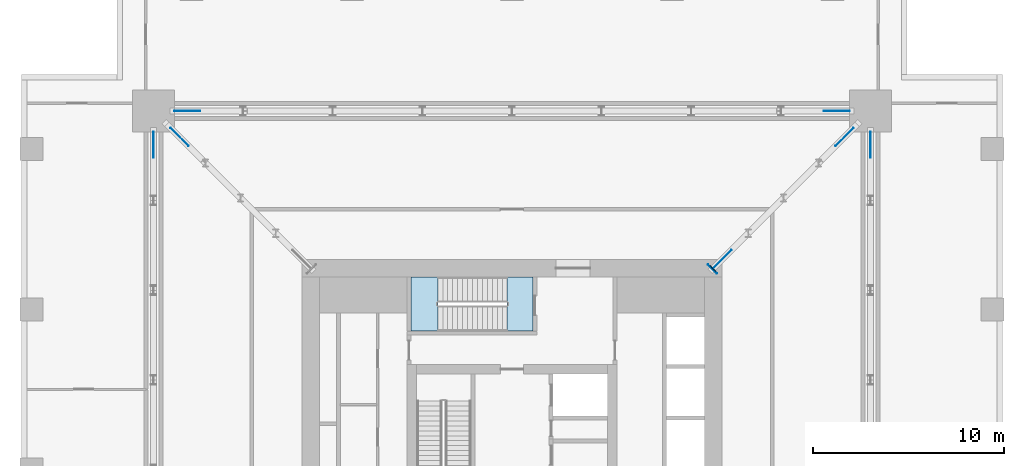
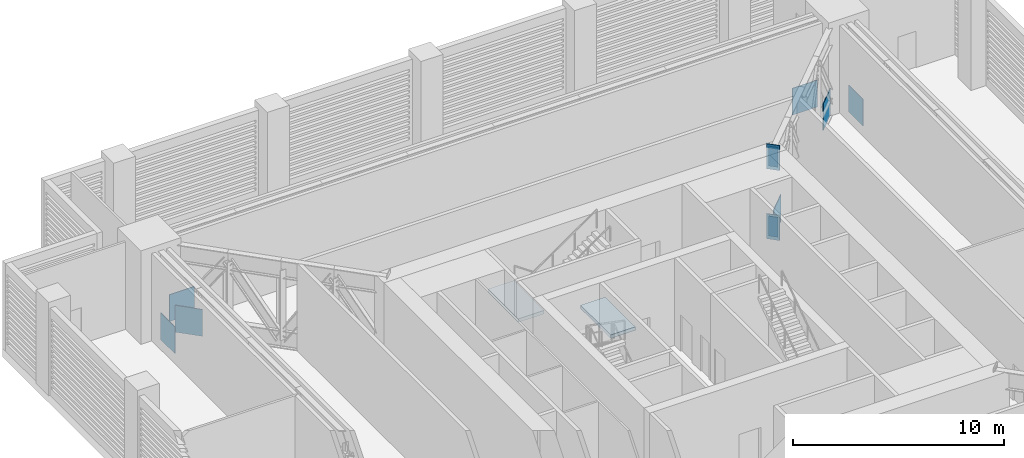
# One storey, part 8 of 16: 11 plates, 2 slabs, 1 element without a shape of its own.
"""IFC4 building model written with IfcOpenShell, lengths in metres."""

from ifc_helpers import new_model, si_unit, direction, frame, origin, origin_2d, place, context, subcontext, project, spatial, polyline, rectangle, outline, extrude, material, layer, layer_set, type_object, element, aggregate, save


model = new_model("IFC4")

# Units and contexts
model_context = context("Model", 3, precision=1e-05, world=origin(), true_north=direction((0.0, 1.0)))
body_context = subcontext(model_context, "Body", "Model", "MODEL_VIEW")
ifc_project = project(units=[si_unit("LENGTHUNIT", "METRE"), si_unit("AREAUNIT", "SQUARE_METRE"), si_unit("VOLUMEUNIT", "CUBIC_METRE"), si_unit("PLANEANGLEUNIT", "RADIAN"), si_unit("MASSUNIT", "GRAM", prefix="KILO")], contexts=[model_context])

# Site, building, storey
site_placement = place(None, origin())
site = spatial("IfcSite", under=ifc_project, at=site_placement, CompositionType="ELEMENT")
building_placement = place(site_placement, origin())
building = spatial("IfcBuilding", under=site, at=building_placement, Name="Khepri Terraces", CompositionType="ELEMENT")
storey_placement = place(building_placement, frame((0.0, 0.0, 287.39990234375)))
storey = spatial("IfcBuildingStorey", under=building, at=storey_placement, Name="L69", CompositionType="ELEMENT", Elevation=287.39990234375)

# Plates
ifc_material_1 = material(Name="Steel S355", Category="steel")
ifc_layer_1 = layer(ifc_material_1, 0.034912109375, Name="Steel S355", Category="steel")
ifc_layer_set_1 = layer_set([ifc_layer_1], Name="Steel S355")
plate_type_1 = type_object("IfcPlateType", Name="Cast-in plate 1450x650x35", PredefinedType="USERDEFINED", material=ifc_layer_set_1)
for number, where, z_axis, x_axis, name in (
    (1, (10.50927734375, 10.50927734375, -0.220703125), (0.0, 0.0, 1.0), (0.707106781187, 0.707106781187, 0.0), "CAST-IN PLATE OT-69-EN BOT wall A"),
    (2, (10.50927734375, 10.50927734375, 3.8212890625), (0.0, 0.0, 1.0), (0.707106781187, 0.707106781187, 0.0), "CAST-IN PLATE OT-69-EN TOP wall A"),
):
    element("IfcPlate", number, at=place(storey_placement, frame(where, z_axis=z_axis, x_axis=x_axis)), inside=storey, type_object=plate_type_1, Name=name, ObjectType="CAST-IN PLATE", PredefinedType="USERDEFINED", context=body_context, shape_type="SweptSolid", body=[
        extrude(rectangle(XDim=0.034912109375, YDim=0.64990234375, at=origin_2d()), origin(), (0.0, 0.0, 1.0), 1.449951171875),
    ])
ifc_layer_2 = layer(ifc_material_1, 0.0400390625, Name="Steel S355", Category="steel")
ifc_layer_set_2 = layer_set([ifc_layer_2], Name="Steel S355")
plate_type_2 = type_object("IfcPlateType", Name="End plate 1150x450x40", PredefinedType="USERDEFINED", material=ifc_layer_set_2)
for number, where, z_axis, x_axis, name in (
    (3, (10.535888671875, 10.535888671875, -0.07080078125), (0.0, 0.0, 1.0), (0.707106781187, 0.707106781187, 0.0), "END PLATE OT-69-EN BOT end A"),
    (4, (10.535888671875, 10.535888671875, 3.97119140625), (0.0, 0.0, 1.0), (0.707106781187, 0.707106781187, 0.0), "END PLATE OT-69-EN TOP end A"),
):
    element("IfcPlate", number, at=place(storey_placement, frame(where, z_axis=z_axis, x_axis=x_axis)), inside=storey, type_object=plate_type_2, Name=name, ObjectType="END PLATE", PredefinedType="USERDEFINED", context=body_context, shape_type="SweptSolid", body=[
        extrude(rectangle(XDim=0.0400390625, YDim=0.449951171875, at=origin_2d()), origin(), (0.0, 0.0, 1.0), 1.14990234375),
    ])
ifc_layer_3 = layer(ifc_material_1, 0.034912109375, Name="Steel S355", Category="steel")
ifc_layer_set_3 = layer_set([ifc_layer_3], Name="Steel S355")
plate_type_3 = type_object("IfcPlateType", Name="Gusset plate 1350x1550x35", PredefinedType="USERDEFINED", material=ifc_layer_set_3)
for number, where, z_axis, x_axis, name in (
    (5, (11.02734375, 11.02734375, -0.10009765625), (0.0, 0.0, 1.0), (0.707106781187, 0.707106781187, 0.0), "GUSSET PLATE OT-69-EN node A"),
    (6, (17.434814453125, 17.434814453125, -0.10009765625), (0.0, 0.0, 1.0), (0.707106781187, 0.707106781187, 0.0), "GUSSET PLATE OT-69-EN column node B"),
    (7, (-17.434814453125, 17.434814453125, -0.10009765625), (0.0, 0.0, 1.0), (-0.707106781187, 0.707106781187, 0.0), "GUSSET PLATE OT-69-WN column node B"),
    (8, (18.800048828125, 17.02490234375, -0.10009765625), (0.0, 0.0, 1.0), (0.0, 1.0, 0.0), "GUSSET PLATE BT-69-E column node B"),
    (9, (17.02490234375, 18.800048828125, -0.10009765625), (0.0, 0.0, 1.0), (-1.0, 0.0, 0.0), "GUSSET PLATE BT-69-N column node A"),
    (10, (-17.02490234375, 18.800048828125, -0.10009765625), (0.0, 0.0, 1.0), (-1.0, 0.0, 0.0), "GUSSET PLATE BT-69-N column node B"),
    (11, (-18.800048828125, 17.02490234375, -0.10009765625), (0.0, 0.0, 1.0), (0.0, -1.0, 0.0), "GUSSET PLATE BT-69-W column node A"),
):
    element("IfcPlate", number, at=place(storey_placement, frame(where, z_axis=z_axis, x_axis=x_axis)), inside=storey, type_object=plate_type_3, Name=name, ObjectType="GUSSET PLATE", PredefinedType="USERDEFINED", context=body_context, shape_type="SweptSolid", body=[
        extrude(rectangle(XDim=1.35009765625, YDim=0.034912109375, at=origin_2d()), origin(), (0.0, 0.0, 1.0), 1.550048828125),
    ])

# Stair, slabs
ifc_material_2 = material(Name="Concrete C40/50", Category="concrete")
stair_type = type_object("IfcStairType", Name="STAIR-RC-30R", PredefinedType="HALF_TURN_STAIR", material=ifc_material_2)
stair_placement = place(storey_placement, origin())
stair = element("IfcStair", 12, at=stair_placement, inside=storey, type_object=stair_type, Name="L69 Exit Stair ST-3", PredefinedType="HALF_TURN_STAIR")
ifc_layer_4 = layer(ifc_material_2, 0.199951171875, Name="Concrete C40/50", Category="concrete")
ifc_layer_set_4 = layer_set([ifc_layer_4], Name="Concrete C40/50")
slab_type = type_object("IfcSlabType", Name="SLB-CORE-LANDING", PredefinedType="LANDING", material=ifc_layer_set_4)
slab_1_placement = place(storey_placement, frame((0.0, 0.0, -0.199951171875)))
slab_1 = element("IfcSlab", 13, at=slab_1_placement, type_object=slab_type, Name="ST-3 landing 1", PredefinedType="LANDING", context=body_context, shape_type="SweptSolid", body=[
    extrude(outline(polyline([(1.10009765625, 10.10009765625), (-0.25, 10.10009765625), (-0.25, 7.25), (1.10009765625, 7.25), (1.10009765625, 10.10009765625)])), origin(), (0.0, 0.0, 1.0), 0.199951171875),
])
slab_2_placement = place(storey_placement, frame((0.0, 0.0, 2.5)))
slab_2 = element("IfcSlab", 14, at=slab_2_placement, type_object=slab_type, Name="ST-3 landing 2", PredefinedType="LANDING", context=body_context, shape_type="SweptSolid", body=[
    extrude(outline(polyline([(-3.889892578125, 10.10009765625), (-5.300048828125, 10.10009765625), (-5.300048828125, 7.25), (-3.889892578125, 7.25), (-3.889892578125, 10.10009765625)])), origin(), (0.0, 0.0, 1.0), 0.2001953125),
])
aggregate(stair, [slab_1, slab_2])

save(model, "model.ifc")
